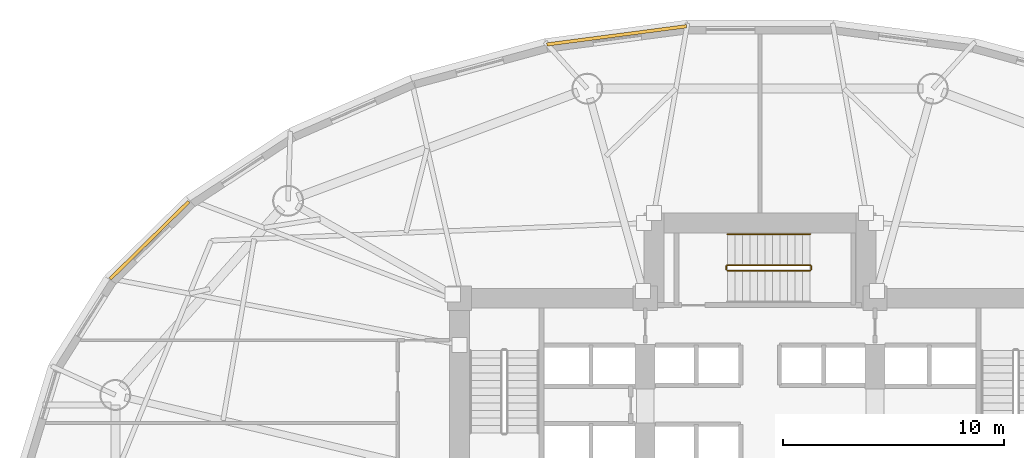
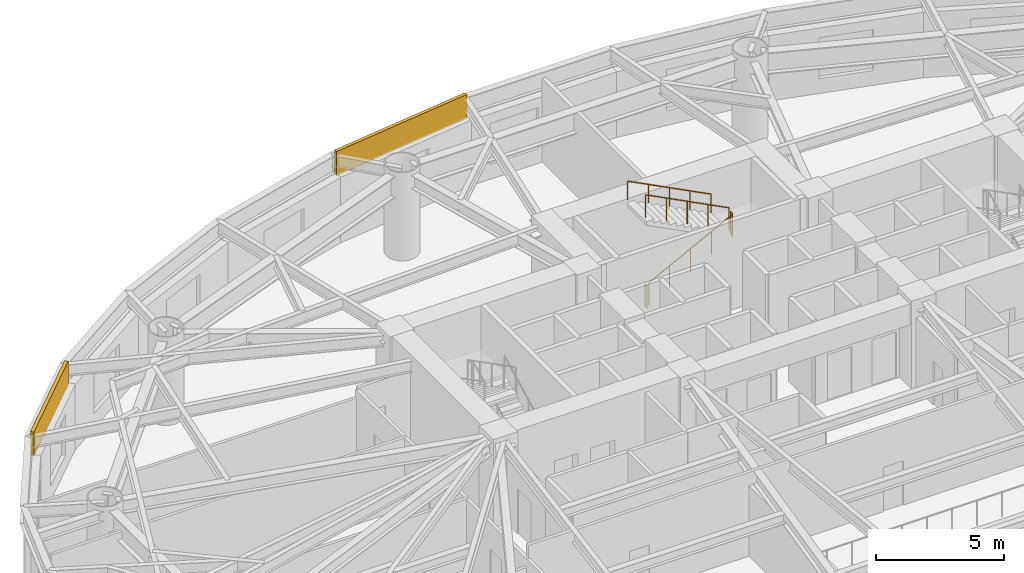
# One storey, part 18 of 19: 5 railings, 2 coverings.
"""IFC4 building model written with IfcOpenShell, lengths in metres."""

from ifc_helpers import new_model, si_unit, direction, frame, origin, origin_2d, place, context, subcontext, project, spatial, rectangle, circle, extrude, material, layer, layer_set, type_object, element, save


model = new_model("IFC4")

# Units and contexts
model_context = context("Model", 3, precision=1e-05, world=origin(), true_north=direction((0.0, 1.0)))
body_context = subcontext(model_context, "Body", "Model", "MODEL_VIEW")
ifc_project = project(units=[si_unit("LENGTHUNIT", "METRE"), si_unit("AREAUNIT", "SQUARE_METRE"), si_unit("VOLUMEUNIT", "CUBIC_METRE"), si_unit("PLANEANGLEUNIT", "RADIAN"), si_unit("MASSUNIT", "GRAM", prefix="KILO")], contexts=[model_context])

# Site, building, storey
site_placement = place(None, origin())
site = spatial("IfcSite", under=ifc_project, at=site_placement, CompositionType="ELEMENT")
building_placement = place(site_placement, origin())
building = spatial("IfcBuilding", under=site, at=building_placement, Name="Keldmark Tower", CompositionType="ELEMENT")
storey_placement = place(building_placement, frame((0.0, 0.0, 10.199951171875)))
storey = spatial("IfcBuildingStorey", under=building, at=storey_placement, Name="L02", CompositionType="ELEMENT", Elevation=10.199951171875)

# Coverings
ifc_material_1 = material(Name="Honed Kasota Buff Dolomitic Limestone", Category="masonry")
ifc_layer = layer(ifc_material_1, 0.074951171875)
ifc_layer_set = layer_set([ifc_layer], Name="Honed Kasota Buff Dolomitic Limestone")
covering_type = type_object("IfcCoveringType", Name="Kasota Buff Limestone Spandrel Cladding Band", PredefinedType="CLADDING", material=ifc_layer_set)
covering_1_placement = place(storey_placement, frame((-6.487060546875, 21.344482421875, 3.032958984375), z_axis=(0.0, 0.0, 1.0), x_axis=(-0.991574223108, -0.129539801092, 0.0)))
element("IfcCovering", 1, at=covering_1_placement, inside=storey, type_object=covering_type, Name="L02 Kasota Limestone Spandrel Band 09", PredefinedType="CLADDING", context=body_context, shape_type="SweptSolid", body=[
    extrude(rectangle(XDim=6.37548828125, YDim=0.14990234375, at=origin_2d()), origin(), (0.0, 0.0, 1.0), 1.14697265625),
])
covering_2_placement = place(storey_placement, frame((-27.62890625, 12.071044921875, 3.032958984375), z_axis=(0.0, 0.0, 1.0), x_axis=(-0.713189280566, -0.700971504475, 0.0)))
element("IfcCovering", 2, at=covering_2_placement, inside=storey, type_object=covering_type, Name="L02 Kasota Limestone Spandrel Band 13", PredefinedType="CLADDING", context=body_context, shape_type="SweptSolid", body=[
    extrude(rectangle(XDim=4.995849609375, YDim=0.14990234375, at=origin_2d()), origin(), (0.0, 0.0, 1.0), 1.14697265625),
])

# Railings
ifc_material_2 = material(Name="Painted Steel ASTM A500 Grade B", Category="steel")
railing_type_1 = type_object("IfcRailingType", Name="Painted Steel Stair Well Guard 1100 mm", PredefinedType="GUARDRAIL", material=ifc_material_2)
railing_1_placement = place(storey_placement, frame((-1.47509765625, 10.699951171875, 0.175048828125)))
element("IfcRailing", 3, at=railing_1_placement, inside=storey, type_object=railing_type_1, Name="L02 ST3 stair guard 1", PredefinedType="GUARDRAIL", context=body_context, shape_type="SweptSolid", body=[
    extrude(circle(Radius=0.02392578125, at=origin_2d()), frame((0.0, 0.0, 1.076171875), z_axis=(0.889130600629, 0.0, 0.457653553493), x_axis=(0.0, 1.0, 0.0)), (0.0, 0.0, 1.0), 4.206298828125),
    extrude(circle(Radius=0.02099609375, at=origin_2d()), origin(), (0.0, 0.0, 1.0), 1.052001953125),
    extrude(circle(Radius=0.02099609375, at=origin_2d()), frame((0.93505859375, 0.0, 0.481201171875)), (0.0, 0.0, 1.0), 1.052001953125),
    extrude(circle(Radius=0.02099609375, at=origin_2d()), frame((1.8701171875, 0.0, 0.96240234375)), (0.0, 0.0, 1.0), 1.052001953125),
    extrude(circle(Radius=0.02099609375, at=origin_2d()), frame((2.804931640625, 0.0, 1.44384765625)), (0.0, 0.0, 1.0), 1.052001953125),
    extrude(circle(Radius=0.02099609375, at=origin_2d()), frame((3.739990234375, 0.0, 1.925048828125)), (0.0, 0.0, 1.0), 1.052001953125),
])
railing_2_placement = place(storey_placement, frame((2.31494140625, 10.75, 2.10009765625)))
element("IfcRailing", 4, at=railing_2_placement, inside=storey, type_object=railing_type_1, Name="L02 ST3 stair guard 2", PredefinedType="GUARDRAIL", context=body_context, shape_type="SweptSolid", body=[
    extrude(circle(Radius=0.02392578125, at=origin_2d()), frame((0.0, 0.0, 1.076171875), z_axis=(0.0, 1.0, 0.0), x_axis=(-1.0, 0.0, 0.0)), (0.0, 0.0, 1.0), 0.14990234375),
    extrude(circle(Radius=0.02099609375, at=origin_2d()), origin(), (0.0, 0.0, 1.0), 1.052001953125),
    extrude(circle(Radius=0.02099609375, at=origin_2d()), frame((0.0, 0.14990234375, 0.0)), (0.0, 0.0, 1.0), 1.052001953125),
])
railing_3_placement = place(storey_placement, frame((2.264892578125, 10.949951171875, 2.275146484375)))
element("IfcRailing", 5, at=railing_3_placement, inside=storey, type_object=railing_type_1, Name="L02 ST3 stair guard 3", PredefinedType="GUARDRAIL", context=body_context, shape_type="SweptSolid", body=[
    extrude(circle(Radius=0.02392578125, at=origin_2d()), frame((0.0, 0.0, 1.076171875), z_axis=(-0.889154217769, 0.0, 0.457607667138), x_axis=(0.0, -1.0, 0.0)), (0.0, 0.0, 1.0), 4.206298828125),
    extrude(circle(Radius=0.02099609375, at=origin_2d()), origin(), (0.0, 0.0, 1.0), 1.052001953125),
    extrude(circle(Radius=0.02099609375, at=origin_2d()), frame((-0.93505859375, 0.0, 0.481201171875)), (0.0, 0.0, 1.0), 1.052001953125),
    extrude(circle(Radius=0.02099609375, at=origin_2d()), frame((-1.8701171875, 0.0, 0.96240234375)), (0.0, 0.0, 1.0), 1.052001953125),
    extrude(circle(Radius=0.02099609375, at=origin_2d()), frame((-2.804931640625, 0.0, 1.443603515625)), (0.0, 0.0, 1.0), 1.052001953125),
    extrude(circle(Radius=0.02099609375, at=origin_2d()), frame((-3.739990234375, 0.0, 1.9248046875)), (0.0, 0.0, 1.0), 1.052001953125),
])
railing_4_placement = place(storey_placement, frame((-1.52490234375, 10.75, 0.0)))
element("IfcRailing", 6, at=railing_4_placement, inside=storey, type_object=railing_type_1, Name="L02 ST3 stair guard 4", PredefinedType="GUARDRAIL", context=body_context, shape_type="SweptSolid", body=[
    extrude(circle(Radius=0.02392578125, at=origin_2d()), frame((0.0, 0.0, 1.076171875), z_axis=(0.0, 1.0, 0.0), x_axis=(-1.0, 0.0, 0.0)), (0.0, 0.0, 1.0), 0.14990234375),
    extrude(circle(Radius=0.02099609375, at=origin_2d()), origin(), (0.0, 0.0, 1.0), 1.052001953125),
    extrude(circle(Radius=0.02099609375, at=origin_2d()), frame((0.0, 0.14990234375, 0.0)), (0.0, 0.0, 1.0), 1.052001953125),
])
ifc_material_3 = material(Name="Stainless Steel AISI 316L", Category="steel")
railing_type_2 = type_object("IfcRailingType", Name="Stainless Steel Stair Handrail 900 mm", PredefinedType="HANDRAIL", material=ifc_material_3)
railing_5_placement = place(storey_placement, frame((2.264892578125, 12.35009765625, 2.275146484375)))
element("IfcRailing", 7, at=railing_5_placement, inside=storey, type_object=railing_type_2, Name="L02 ST3 stair handrail 2", PredefinedType="HANDRAIL", context=body_context, shape_type="SweptSolid", body=[
    extrude(circle(Radius=0.02392578125, at=origin_2d()), frame((0.0, 0.0, 0.8759765625), z_axis=(-0.889154217769, 0.0, 0.457607667138), x_axis=(0.0, -1.0, 0.0)), (0.0, 0.0, 1.0), 4.206298828125),
    extrude(circle(Radius=0.02099609375, at=origin_2d()), origin(), (0.0, 0.0, 1.0), 0.851806640625),
    extrude(circle(Radius=0.02099609375, at=origin_2d()), frame((-0.93505859375, 0.0, 0.481201171875)), (0.0, 0.0, 1.0), 0.851806640625),
    extrude(circle(Radius=0.02099609375, at=origin_2d()), frame((-1.8701171875, 0.0, 0.96240234375)), (0.0, 0.0, 1.0), 0.851806640625),
    extrude(circle(Radius=0.02099609375, at=origin_2d()), frame((-2.804931640625, 0.0, 1.443603515625)), (0.0, 0.0, 1.0), 0.851806640625),
    extrude(circle(Radius=0.02099609375, at=origin_2d()), frame((-3.739990234375, 0.0, 1.9248046875)), (0.0, 0.0, 1.0), 0.851806640625),
])

save(model, "model.ifc")
